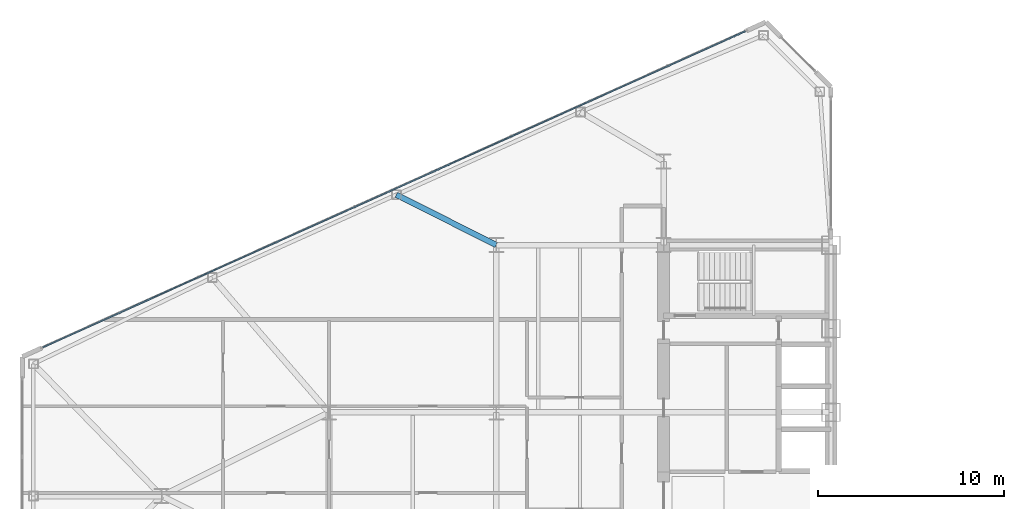
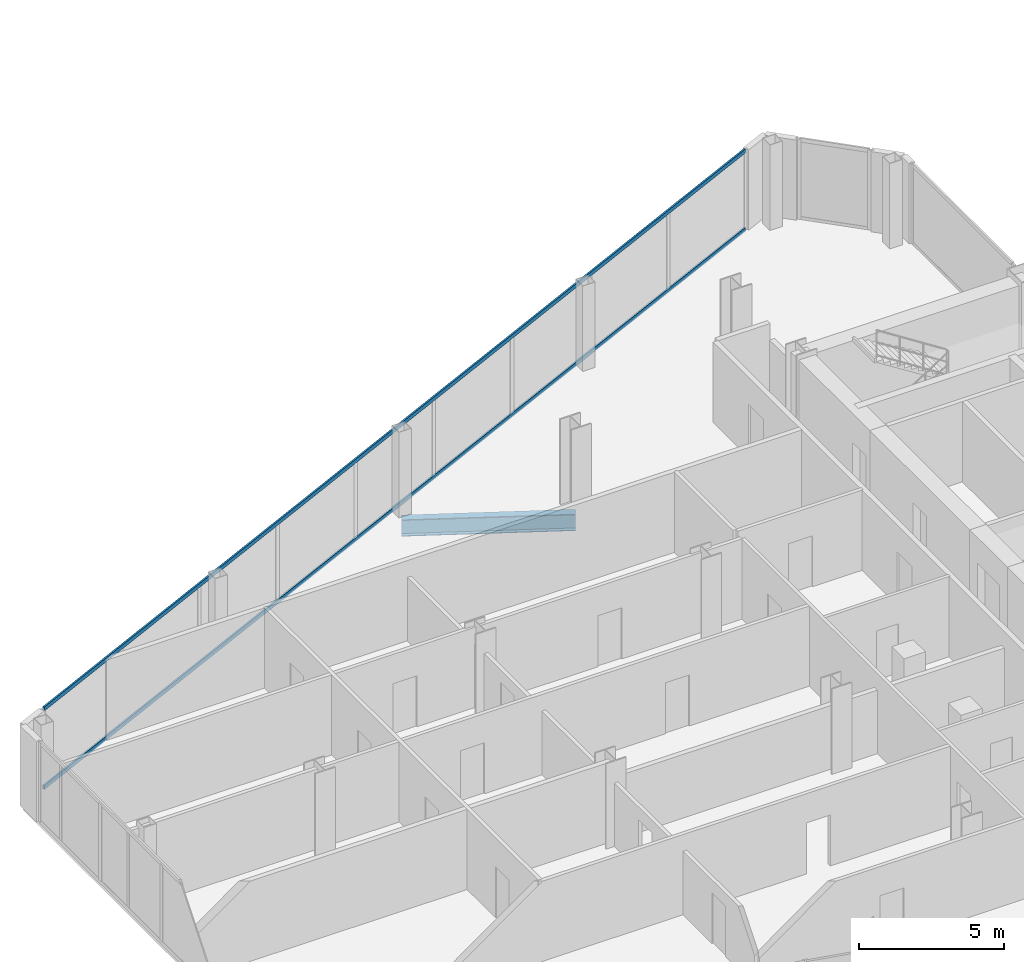
# One storey, part 8 of 27: 2 members, 1 beam, 1 element without a shape of its own.
"""IFC4 building model written with IfcOpenShell, lengths in metres."""

from ifc_helpers import new_model, si_unit, direction, frame, origin, origin_2d, place, context, subcontext, project, spatial, rectangle, i_section, extrude, source, transform, mapped, material, layer, layer_set, material_profile, profile_set, type_object, type_shapes, element, aggregate, save


model = new_model("IFC4")

# Units and contexts
model_context = context("Model", 3, precision=1e-05, world=origin(), true_north=direction((0.0, 1.0)))
body_context = subcontext(model_context, "Body", "Model", "MODEL_VIEW")
ifc_project = project(units=[si_unit("LENGTHUNIT", "METRE"), si_unit("AREAUNIT", "SQUARE_METRE"), si_unit("VOLUMEUNIT", "CUBIC_METRE"), si_unit("PLANEANGLEUNIT", "RADIAN"), si_unit("MASSUNIT", "GRAM", prefix="KILO")], contexts=[model_context])

# Site, building, storey
site_placement = place(None, origin())
site = spatial("IfcSite", under=ifc_project, at=site_placement, CompositionType="ELEMENT")
building_placement = place(site_placement, origin())
building = spatial("IfcBuilding", under=site, at=building_placement, Name="Seokmaru Belvedere", CompositionType="ELEMENT")
storey_placement = place(building_placement, frame((0.0, 0.0, 65.699951171875)))
storey = spatial("IfcBuildingStorey", under=building, at=storey_placement, Name="L17", CompositionType="ELEMENT", Elevation=65.699951171875)

# Beam
ifc_material_1 = material(Name="Steel SM355 (355 MPa)", Category="steel")
ifc_material_profile_1 = material_profile(ifc_material_1, i_section(OverallWidth=0.300048828125, OverallDepth=0.699951171875, WebThickness=0.012939453125, FlangeThickness=0.02392578125, at=origin_2d()), Name="H-700x300x13x24")
ifc_profile_set_1 = profile_set([ifc_material_profile_1], Name="Steel SM355 (355 MPa)")
beam_type = type_object("IfcBeamType", Name="Primary Floor Girder H-700", PredefinedType="BEAM", material=ifc_profile_set_1)
shared_shape_1 = source(origin(), body_context, "Body", "SweptSolid", [
    extrude(i_section(OverallWidth=0.300048828125, OverallDepth=0.699951171875, WebThickness=0.012939453125, FlangeThickness=0.02392578125, at=origin_2d()), origin(), (0.0, 0.0, 1.0), 6.017333984375),
])
type_shapes(beam_type, [shared_shape_1])
beam_placement = place(storey_placement, frame((-50.875, 16.205322265625, -0.570068359375), z_axis=(0.893239341975, -0.449581447512, 0.0), x_axis=(0.449581447512, 0.893239341975, 0.0)))
element("IfcBeam", 1, at=beam_placement, inside=storey, type_object=beam_type, Name="L17 W Flank Radial Floor Girder N-2", PredefinedType="BEAM", context=body_context, shape_type="MappedRepresentation", body=[
    mapped(shared_shape_1, transform((0.0, 0.0, 0.0), scale=1.0)),
])

# Curtain wall, members
ifc_material_2 = material(Name="Bronze Triple Insulating Glass", Category="glass")
ifc_layer = layer(ifc_material_2, 0.195068359375)
ifc_layer_set = layer_set([ifc_layer], Name="Bronze Triple Insulating Glass")
curtain_wall_type = type_object("IfcCurtainWallType", Name="Lower-Mid Tapered Curtain Wall System CW-3", PredefinedType="NOTDEFINED", material=ifc_layer_set)
curtain_wall_placement = place(storey_placement, origin())
curtain_wall = element("IfcCurtainWall", 2, at=curtain_wall_placement, inside=storey, type_object=curtain_wall_type, Name="L17 Curtain Wall WF3", PredefinedType="NOTDEFINED")
ifc_material_3 = material(Name="Anodised Bronze Aluminium", Category="aluminium")
ifc_material_profile_2 = material_profile(ifc_material_3, rectangle(XDim=0.070068359375, YDim=0.1650390625, at=origin_2d()), Name="CW-T-70x165")
ifc_profile_set_2 = profile_set([ifc_material_profile_2], Name="Anodised Bronze Aluminium")
member_type = type_object("IfcMemberType", Name="Bronze Unitised Transom 70x165", PredefinedType="USERDEFINED", material=ifc_profile_set_2)
shared_shape_2 = source(origin(), body_context, "Body", "SweptSolid", [
    extrude(rectangle(XDim=0.070068359375, YDim=0.1650390625, at=origin_2d()), origin(), (0.0, 0.0, 1.0), 41.423583984375),
])
type_shapes(member_type, [shared_shape_2])
member_1_placement = place(storey_placement, frame((-32.112548828125, 24.99951171875, 0.03515625), z_axis=(-0.911918637916, -0.410371048956, 0.0), x_axis=(0.410371048956, -0.911918637916, 0.0)))
member_1 = element("IfcMember", 3, at=member_1_placement, type_object=member_type, Name="CW:L17:WF3 Continuous Transom 1", ObjectType="TRANSOM", PredefinedType="USERDEFINED", context=body_context, shape_type="MappedRepresentation", body=[
    mapped(shared_shape_2, transform((0.0, 0.0, 0.0), scale=1.0)),
])
member_2_placement = place(storey_placement, frame((-32.112548828125, 24.99951171875, 3.344970703125), z_axis=(-0.911918637916, -0.410371048956, 0.0), x_axis=(0.410371048956, -0.911918637916, 0.0)))
member_2 = element("IfcMember", 4, at=member_2_placement, type_object=member_type, Name="CW:L17:WF3 Continuous Transom 2", ObjectType="TRANSOM", PredefinedType="USERDEFINED", context=body_context, shape_type="MappedRepresentation", body=[
    mapped(shared_shape_2, transform((0.0, 0.0, 0.0), scale=1.0)),
])
aggregate(curtain_wall, [member_1, member_2])

save(model, "model.ifc")
